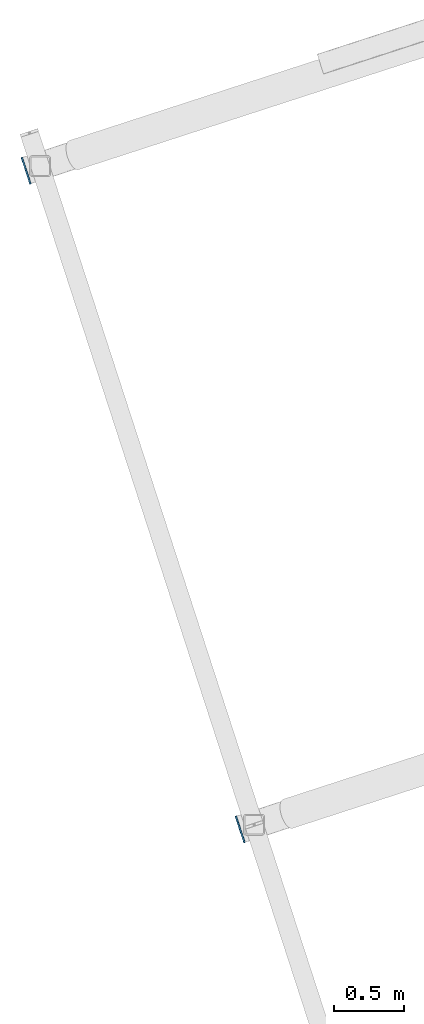
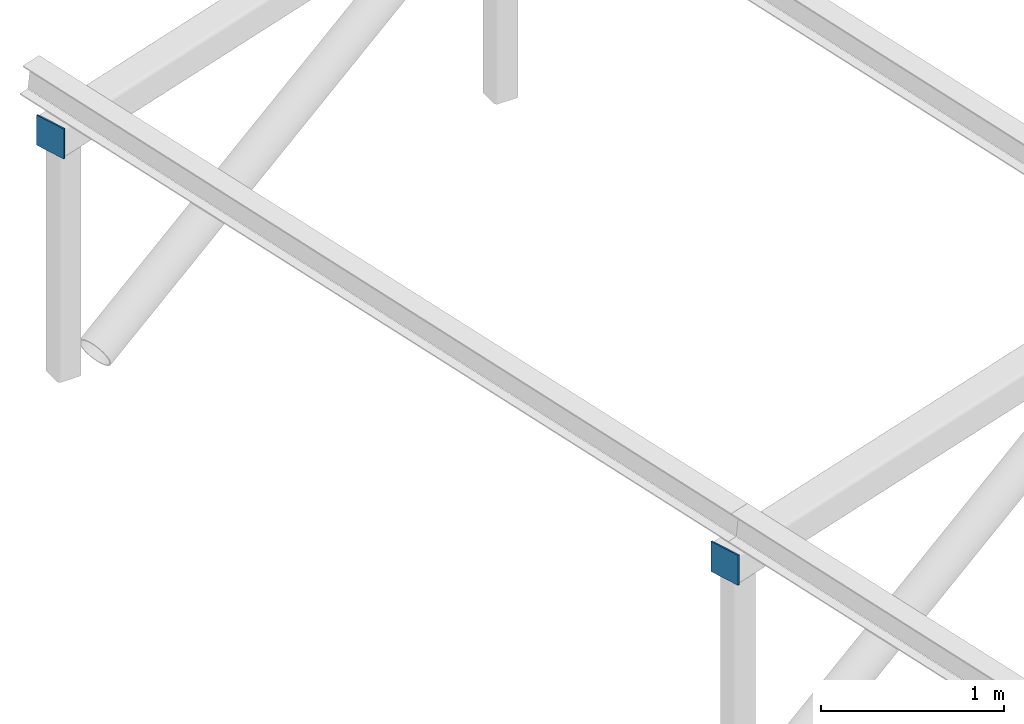
# One storey, part 37 of 43: 2 plates.
"""IFC4 building model written with IfcOpenShell, lengths in metres."""

from ifc_helpers import new_model, si_unit, direction, frame, origin, place, context, subcontext, project, spatial, polyline, outline, extrude, material, layer, layer_set, type_object, element, save


model = new_model("IFC4")

# Units and contexts
model_context = context("Model", 3, precision=1e-05, world=origin(), true_north=direction((0.0, 1.0)))
body_context = subcontext(model_context, "Body", "Model", "MODEL_VIEW")
ifc_project = project(units=[si_unit("LENGTHUNIT", "METRE"), si_unit("AREAUNIT", "SQUARE_METRE"), si_unit("VOLUMEUNIT", "CUBIC_METRE"), si_unit("PLANEANGLEUNIT", "RADIAN"), si_unit("MASSUNIT", "GRAM", prefix="KILO")], contexts=[model_context])

# Site, building, storey
site_placement = place(None, origin())
site = spatial("IfcSite", under=ifc_project, at=site_placement, CompositionType="ELEMENT")
building_placement = place(site_placement, origin())
building = spatial("IfcBuilding", under=site, at=building_placement, Name="Tuart Plaza Theatre", CompositionType="ELEMENT")
storey_placement = place(building_placement, frame((0.0, 0.0, 33.5)))
storey = spatial("IfcBuildingStorey", under=building, at=storey_placement, Name="L08", CompositionType="ELEMENT", Elevation=33.5)

# Plates
ifc_material = material(Name="Steel Grade C350L0", Category="steel")
ifc_layer = layer(ifc_material, 0.010009765625)
ifc_layer_set = layer_set([ifc_layer], Name="PLATE End cap 10 Steel Grade C350L0")
plate_type = type_object("IfcPlateType", Name="PLATE End cap 10 Steel Grade C350L0", PredefinedType="SHEET", material=ifc_layer_set)
plate_1_placement = place(storey_placement, frame((36.8662109375, 82.892822265625, 1.0654296875), z_axis=(-0.950737659293, -0.309996618049, 0.0), x_axis=(-0.309996618049, 0.950737659293, 0.0)))
element("IfcPlate", 1, at=plate_1_placement, inside=storey, type_object=plate_type, Name="EP27", PredefinedType="SHEET", context=body_context, shape_type="SweptSolid", body=[
    extrude(outline(polyline([(0.0, 0.0), (0.2000399847592274, 0.0), (0.2000399847592274, 0.199951171875), (0.0, 0.199951171875), (0.0, 0.0)])), origin(), (0.0, 0.0, -1.0), 0.010009765625),
])
plate_2_placement = place(storey_placement, frame((35.33642578125, 87.6005859375, 1.585693359375), z_axis=(-0.951096855055, -0.308892816854, 0.0), x_axis=(-0.308892816854, 0.951096855055, 0.0)))
element("IfcPlate", 2, at=plate_2_placement, inside=storey, type_object=plate_type, Name="EP31", PredefinedType="SHEET", context=body_context, shape_type="SweptSolid", body=[
    extrude(outline(polyline([(0.0, 0.0), (0.1999644367070575, 0.0), (0.1999644367070575, 0.199951171875), (0.0, 0.199951171875), (0.0, 0.0)])), origin(), (0.0, 0.0, -1.0), 0.010009765625),
])

save(model, "model.ifc")
